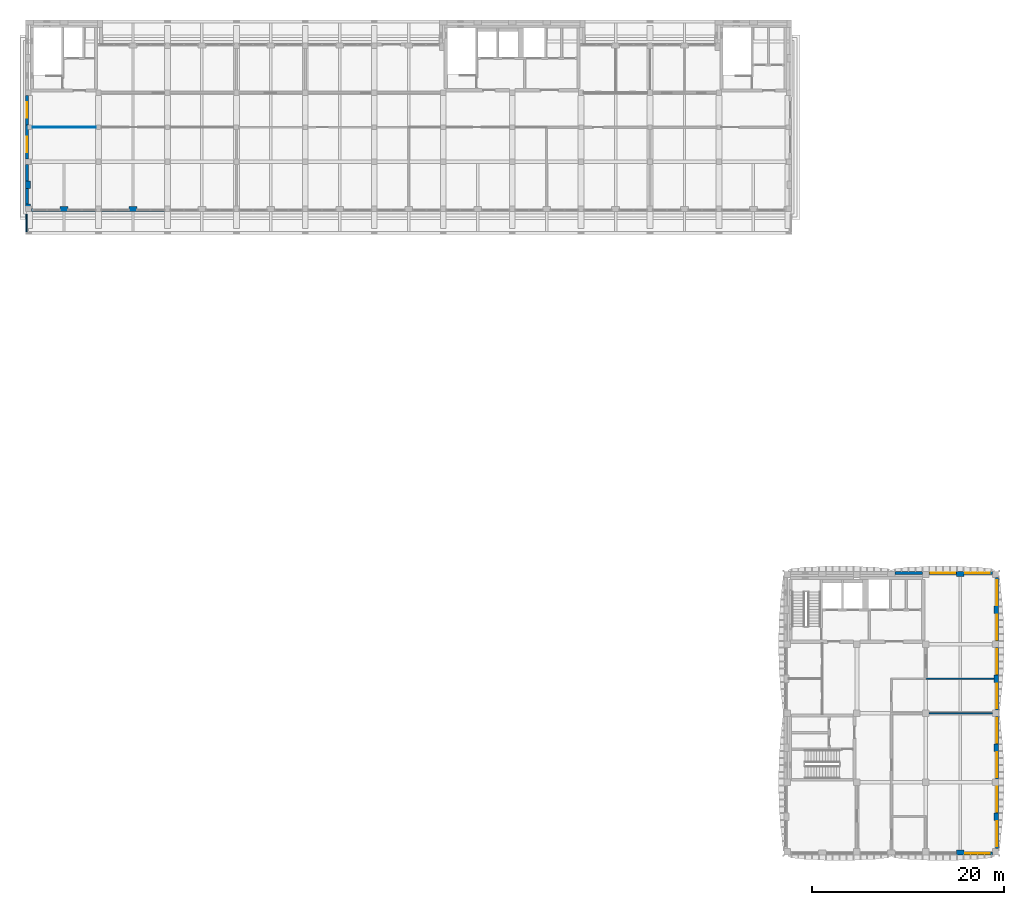
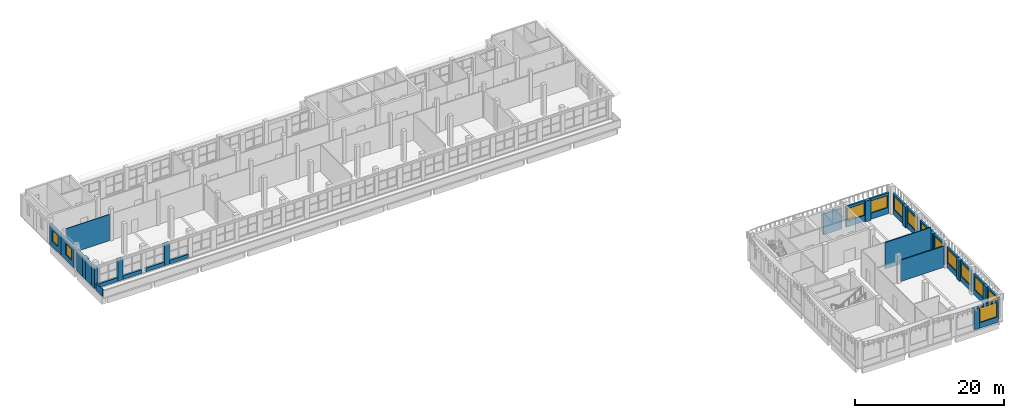
# One storey, part 16 of 30: 34 walls, 13 windows, 13 openings.
"""IFC4 building model written with IfcOpenShell, lengths in metres."""

from ifc_helpers import new_model, si_unit, direction, frame, frame_2d, origin, place, context, subcontext, project, spatial, rectangle, extrude, material, layer, layer_set, type_object, element, fill, save


model = new_model("IFC4")

# Units and contexts
model_context = context("Model", 3, precision=1e-05, world=origin(), true_north=direction((0.0, 1.0)))
body_context = subcontext(model_context, "Body", "Model", "MODEL_VIEW")
ifc_project = project(units=[si_unit("LENGTHUNIT", "METRE"), si_unit("AREAUNIT", "SQUARE_METRE"), si_unit("VOLUMEUNIT", "CUBIC_METRE"), si_unit("PLANEANGLEUNIT", "RADIAN"), si_unit("MASSUNIT", "GRAM", prefix="KILO")], contexts=[model_context])

# Site, building, storey
site_placement = place(None, origin())
site = spatial("IfcSite", under=ifc_project, at=site_placement, CompositionType="ELEMENT")
building_placement = place(site_placement, origin())
building = spatial("IfcBuilding", under=site, at=building_placement, Name="Ussher Court Research Institute", CompositionType="ELEMENT")
storey_placement = place(building_placement, frame((0.0, 0.0, 27.89990234375)))
storey = spatial("IfcBuildingStorey", under=building, at=storey_placement, Name="L06", CompositionType="ELEMENT", Elevation=27.89990234375)

# Wall, opening, window
ifc_material_1 = material(Name="Blockwork with cream render", Category="masonry")
ifc_layer_1 = layer(ifc_material_1, 0.300048828125)
ifc_layer_set_1 = layer_set([ifc_layer_1], Name="Blockwork with cream render")
wall_type_1 = type_object("IfcWallType", Name="External wall 300 cream render", PredefinedType="SOLIDWALL", material=ifc_layer_set_1)
wall_1_placement = place(storey_placement, frame((96.925048828125, 33.050048828125, 0.0), z_axis=(0.0, 0.0, 1.0), x_axis=(1.0, 0.0, 0.0)))
wall_1 = element("IfcWall", 1, at=wall_1_placement, inside=storey, type_object=wall_type_1, Name="External wall EW1 L06", PredefinedType="SOLIDWALL", context=body_context, shape_type="SweptSolid", body=[
    extrude(rectangle(XDim=2.875, YDim=0.300048828125, at=frame_2d((1.4375, 0.0))), origin(), (0.0, 0.0, 1.0), 3.400146484375),
])
opening_1_placement = place(wall_1_placement, frame((0.175048828125, 0.0, 1.0)))
opening_1 = element("IfcOpeningElement", 2, at=opening_1_placement, cuts=wall_1, Name="Opening W15", PredefinedType="OPENING", context=body_context, shape_type="SweptSolid", body=[
    extrude(rectangle(XDim=2.60009765625, YDim=2.0, at=frame_2d((1.300048828125, 1.0))), frame((0.0, 0.16015625, 0.0), z_axis=(0.0, -1.0, 0.0), x_axis=(1.0, 0.0, 0.0)), (0.0, 0.0, 1.0), 0.320068359375),
])
ifc_material_2 = material(Name="Bronze anodised aluminium with double glazing", Category="aluminium")
window_type_1 = type_object("IfcWindowType", Name="Service side laboratory window 2600x2000", PartitioningType="DOUBLE_PANEL_VERTICAL", PredefinedType="WINDOW", material=ifc_material_2)
window_1_placement = place(opening_1_placement, origin())
window_1 = element("IfcWindow", 3, at=window_1_placement, inside=storey, type_object=window_type_1, Name="Window W15 L06", OverallHeight=2.0, OverallWidth=2.60009765625, PartitioningType="SINGLE_PANEL", PredefinedType="WINDOW", context=body_context, shape_type="SweptSolid", body=[
    extrude(rectangle(XDim=2.60009765625, YDim=2.0, at=frame_2d((1.300048828125, 1.0))), frame((0.0, 0.030029296875, 0.0), z_axis=(0.0, -1.0, 0.0), x_axis=(1.0, 0.0, 0.0)), (0.0, 0.0, 1.0), 0.06005859375),
])
fill(opening_1, window_1)

wall_2_placement = place(storey_placement, frame((100.60009765625, 33.050048828125, 0.0), z_axis=(0.0, 0.0, 1.0), x_axis=(1.0, 0.0, 0.0)))
wall_2 = element("IfcWall", 4, at=wall_2_placement, inside=storey, type_object=wall_type_1, Name="External wall EW1 L06", PredefinedType="SOLIDWALL", context=body_context, shape_type="SweptSolid", body=[
    extrude(rectangle(XDim=2.949951171875, YDim=0.300048828125, at=frame_2d((1.47509765625, 0.0))), origin(), (0.0, 0.0, 1.0), 3.400146484375),
])
opening_2_placement = place(wall_2_placement, frame((0.10009765625, 0.0, 1.0)))
opening_2 = element("IfcOpeningElement", 5, at=opening_2_placement, cuts=wall_2, Name="Opening W15", PredefinedType="OPENING", context=body_context, shape_type="SweptSolid", body=[
    extrude(rectangle(XDim=2.60009765625, YDim=2.0, at=frame_2d((1.300048828125, 1.0))), frame((0.0, 0.16015625, 0.0), z_axis=(0.0, -1.0, 0.0), x_axis=(1.0, 0.0, 0.0)), (0.0, 0.0, 1.0), 0.320068359375),
])
window_2_placement = place(opening_2_placement, origin())
window_2 = element("IfcWindow", 6, at=window_2_placement, inside=storey, type_object=window_type_1, Name="Window W15 L06", OverallHeight=2.0, OverallWidth=2.60009765625, PartitioningType="SINGLE_PANEL", PredefinedType="WINDOW", context=body_context, shape_type="SweptSolid", body=[
    extrude(rectangle(XDim=2.60009765625, YDim=2.0, at=frame_2d((1.300048828125, 1.0))), frame((0.0, 0.030029296875, 0.0), z_axis=(0.0, -1.0, 0.0), x_axis=(1.0, 0.0, 0.0)), (0.0, 0.0, 1.0), 0.06005859375),
])
fill(opening_2, window_2)

wall_3_placement = place(storey_placement, frame((104.050048828125, 32.550048828125, 0.0), z_axis=(0.0, 0.0, 1.0), x_axis=(0.0, -1.0, 0.0)))
wall_3 = element("IfcWall", 7, at=wall_3_placement, inside=storey, type_object=wall_type_1, Name="External wall EW1 L06", PredefinedType="SOLIDWALL", context=body_context, shape_type="SweptSolid", body=[
    extrude(rectangle(XDim=2.949951171875, YDim=0.300048828125, at=frame_2d((1.47509765625, 0.0))), origin(), (0.0, 0.0, 1.0), 3.400146484375),
])
opening_3_placement = place(wall_3_placement, frame((0.25, 0.0, 0.89990234375)))
opening_3 = element("IfcOpeningElement", 8, at=opening_3_placement, cuts=wall_3, Name="Opening W13", PredefinedType="OPENING", context=body_context, shape_type="SweptSolid", body=[
    extrude(rectangle(XDim=2.60009765625, YDim=2.199951171875, at=frame_2d((1.300048828125, 1.10009765625))), frame((0.0, 0.16015625, 0.0), z_axis=(0.0, -1.0, 0.0), x_axis=(1.0, 0.0, 0.0)), (0.0, 0.0, 1.0), 0.320068359375),
])
ifc_material_3 = material(Name="Bronze anodised aluminium with double glazing", Category="aluminium")
window_type_2 = type_object("IfcWindowType", Name="East laboratory window 2600x2200", PartitioningType="DOUBLE_PANEL_VERTICAL", PredefinedType="WINDOW", material=ifc_material_3)
window_3_placement = place(opening_3_placement, origin())
window_3 = element("IfcWindow", 9, at=window_3_placement, inside=storey, type_object=window_type_2, Name="Window W13 L06", OverallHeight=2.199951171875, OverallWidth=2.60009765625, PartitioningType="SINGLE_PANEL", PredefinedType="WINDOW", context=body_context, shape_type="SweptSolid", body=[
    extrude(rectangle(XDim=2.60009765625, YDim=2.199951171875, at=frame_2d((1.300048828125, 1.10009765625))), frame((0.0, 0.030029296875, 0.0), z_axis=(0.0, -1.0, 0.0), x_axis=(1.0, 0.0, 0.0)), (0.0, 0.0, 1.0), 0.06005859375),
])
fill(opening_3, window_3)

wall_4_placement = place(storey_placement, frame((104.050048828125, 28.800048828125, 0.0), z_axis=(0.0, 0.0, 1.0), x_axis=(0.0, -1.0, 0.0)))
wall_4 = element("IfcWall", 10, at=wall_4_placement, inside=storey, type_object=wall_type_1, Name="External wall EW1 L06", PredefinedType="SOLIDWALL", context=body_context, shape_type="SweptSolid", body=[
    extrude(rectangle(XDim=2.875, YDim=0.300048828125, at=frame_2d((1.4375, 0.0))), origin(), (0.0, 0.0, 1.0), 3.400146484375),
])
opening_4_placement = place(wall_4_placement, frame((0.10009765625, 0.0, 0.89990234375)))
opening_4 = element("IfcOpeningElement", 11, at=opening_4_placement, cuts=wall_4, Name="Opening W13", PredefinedType="OPENING", context=body_context, shape_type="SweptSolid", body=[
    extrude(rectangle(XDim=2.60009765625, YDim=2.199951171875, at=frame_2d((1.300048828125, 1.10009765625))), frame((0.0, 0.16015625, 0.0), z_axis=(0.0, -1.0, 0.0), x_axis=(1.0, 0.0, 0.0)), (0.0, 0.0, 1.0), 0.320068359375),
])
window_4_placement = place(opening_4_placement, origin())
window_4 = element("IfcWindow", 12, at=window_4_placement, inside=storey, type_object=window_type_2, Name="Window W13 L06", OverallHeight=2.199951171875, OverallWidth=2.60009765625, PartitioningType="SINGLE_PANEL", PredefinedType="WINDOW", context=body_context, shape_type="SweptSolid", body=[
    extrude(rectangle(XDim=2.60009765625, YDim=2.199951171875, at=frame_2d((1.300048828125, 1.10009765625))), frame((0.0, 0.030029296875, 0.0), z_axis=(0.0, -1.0, 0.0), x_axis=(1.0, 0.0, 0.0)), (0.0, 0.0, 1.0), 0.06005859375),
])
fill(opening_4, window_4)

wall_5_placement = place(storey_placement, frame((104.050048828125, 25.27490234375, 0.0), z_axis=(0.0, 0.0, 1.0), x_axis=(0.0, -1.0, 0.0)))
wall_5 = element("IfcWall", 13, at=wall_5_placement, inside=storey, type_object=wall_type_1, Name="External wall EW1 L06", PredefinedType="SOLIDWALL", context=body_context, shape_type="SweptSolid", body=[
    extrude(rectangle(XDim=2.875, YDim=0.300048828125, at=frame_2d((1.4375, 0.0))), origin(), (0.0, 0.0, 1.0), 3.400146484375),
])
opening_5_placement = place(wall_5_placement, frame((0.175048828125, 0.0, 0.89990234375)))
opening_5 = element("IfcOpeningElement", 14, at=opening_5_placement, cuts=wall_5, Name="Opening W13", PredefinedType="OPENING", context=body_context, shape_type="SweptSolid", body=[
    extrude(rectangle(XDim=2.60009765625, YDim=2.199951171875, at=frame_2d((1.300048828125, 1.10009765625))), frame((0.0, 0.16015625, 0.0), z_axis=(0.0, -1.0, 0.0), x_axis=(1.0, 0.0, 0.0)), (0.0, 0.0, 1.0), 0.320068359375),
])
window_5_placement = place(opening_5_placement, origin())
window_5 = element("IfcWindow", 15, at=window_5_placement, inside=storey, type_object=window_type_2, Name="Window W13 L06", OverallHeight=2.199951171875, OverallWidth=2.60009765625, PartitioningType="SINGLE_PANEL", PredefinedType="WINDOW", context=body_context, shape_type="SweptSolid", body=[
    extrude(rectangle(XDim=2.60009765625, YDim=2.199951171875, at=frame_2d((1.300048828125, 1.10009765625))), frame((0.0, 0.030029296875, 0.0), z_axis=(0.0, -1.0, 0.0), x_axis=(1.0, 0.0, 0.0)), (0.0, 0.0, 1.0), 0.06005859375),
])
fill(opening_5, window_5)

wall_6_placement = place(storey_placement, frame((104.050048828125, 21.60009765625, 0.0), z_axis=(0.0, 0.0, 1.0), x_axis=(0.0, -1.0, 0.0)))
wall_6 = element("IfcWall", 16, at=wall_6_placement, inside=storey, type_object=wall_type_1, Name="External wall EW1 L06", PredefinedType="SOLIDWALL", context=body_context, shape_type="SweptSolid", body=[
    extrude(rectangle(XDim=2.875, YDim=0.300048828125, at=frame_2d((1.4375, 0.0))), origin(), (0.0, 0.0, 1.0), 3.400146484375),
])
opening_6_placement = place(wall_6_placement, frame((0.10009765625, 0.0, 0.89990234375)))
opening_6 = element("IfcOpeningElement", 17, at=opening_6_placement, cuts=wall_6, Name="Opening W13", PredefinedType="OPENING", context=body_context, shape_type="SweptSolid", body=[
    extrude(rectangle(XDim=2.60009765625, YDim=2.199951171875, at=frame_2d((1.300048828125, 1.10009765625))), frame((0.0, 0.16015625, 0.0), z_axis=(0.0, -1.0, 0.0), x_axis=(1.0, 0.0, 0.0)), (0.0, 0.0, 1.0), 0.320068359375),
])
window_6_placement = place(opening_6_placement, origin())
window_6 = element("IfcWindow", 18, at=window_6_placement, inside=storey, type_object=window_type_2, Name="Window W13 L06", OverallHeight=2.199951171875, OverallWidth=2.60009765625, PartitioningType="SINGLE_PANEL", PredefinedType="WINDOW", context=body_context, shape_type="SweptSolid", body=[
    extrude(rectangle(XDim=2.60009765625, YDim=2.199951171875, at=frame_2d((1.300048828125, 1.10009765625))), frame((0.0, 0.030029296875, 0.0), z_axis=(0.0, -1.0, 0.0), x_axis=(1.0, 0.0, 0.0)), (0.0, 0.0, 1.0), 0.06005859375),
])
fill(opening_6, window_6)

wall_7_placement = place(storey_placement, frame((104.050048828125, 18.074951171875, 0.0), z_axis=(0.0, 0.0, 1.0), x_axis=(0.0, -1.0, 0.0)))
wall_7 = element("IfcWall", 19, at=wall_7_placement, inside=storey, type_object=wall_type_1, Name="External wall EW1 L06", PredefinedType="SOLIDWALL", context=body_context, shape_type="SweptSolid", body=[
    extrude(rectangle(XDim=2.875, YDim=0.300048828125, at=frame_2d((1.4375, 0.0))), origin(), (0.0, 0.0, 1.0), 3.400146484375),
])
opening_7_placement = place(wall_7_placement, frame((0.175048828125, 0.0, 0.89990234375)))
opening_7 = element("IfcOpeningElement", 20, at=opening_7_placement, cuts=wall_7, Name="Opening W13", PredefinedType="OPENING", context=body_context, shape_type="SweptSolid", body=[
    extrude(rectangle(XDim=2.60009765625, YDim=2.199951171875, at=frame_2d((1.300048828125, 1.10009765625))), frame((0.0, 0.16015625, 0.0), z_axis=(0.0, -1.0, 0.0), x_axis=(1.0, 0.0, 0.0)), (0.0, 0.0, 1.0), 0.320068359375),
])
window_7_placement = place(opening_7_placement, origin())
window_7 = element("IfcWindow", 21, at=window_7_placement, inside=storey, type_object=window_type_2, Name="Window W13 L06", OverallHeight=2.199951171875, OverallWidth=2.60009765625, PartitioningType="SINGLE_PANEL", PredefinedType="WINDOW", context=body_context, shape_type="SweptSolid", body=[
    extrude(rectangle(XDim=2.60009765625, YDim=2.199951171875, at=frame_2d((1.300048828125, 1.10009765625))), frame((0.0, 0.030029296875, 0.0), z_axis=(0.0, -1.0, 0.0), x_axis=(1.0, 0.0, 0.0)), (0.0, 0.0, 1.0), 0.06005859375),
])
fill(opening_7, window_7)

wall_8_placement = place(storey_placement, frame((104.050048828125, 14.39990234375, 0.0), z_axis=(0.0, 0.0, 1.0), x_axis=(0.0, -1.0, 0.0)))
wall_8 = element("IfcWall", 22, at=wall_8_placement, inside=storey, type_object=wall_type_1, Name="External wall EW1 L06", PredefinedType="SOLIDWALL", context=body_context, shape_type="SweptSolid", body=[
    extrude(rectangle(XDim=2.875, YDim=0.300048828125, at=frame_2d((1.4375, 0.0))), origin(), (0.0, 0.0, 1.0), 3.400146484375),
])
opening_8_placement = place(wall_8_placement, frame((0.10009765625, 0.0, 0.89990234375)))
opening_8 = element("IfcOpeningElement", 23, at=opening_8_placement, cuts=wall_8, Name="Opening W13", PredefinedType="OPENING", context=body_context, shape_type="SweptSolid", body=[
    extrude(rectangle(XDim=2.60009765625, YDim=2.199951171875, at=frame_2d((1.300048828125, 1.10009765625))), frame((0.0, 0.16015625, 0.0), z_axis=(0.0, -1.0, 0.0), x_axis=(1.0, 0.0, 0.0)), (0.0, 0.0, 1.0), 0.320068359375),
])
window_8_placement = place(opening_8_placement, origin())
window_8 = element("IfcWindow", 24, at=window_8_placement, inside=storey, type_object=window_type_2, Name="Window W13 L06", OverallHeight=2.199951171875, OverallWidth=2.60009765625, PartitioningType="SINGLE_PANEL", PredefinedType="WINDOW", context=body_context, shape_type="SweptSolid", body=[
    extrude(rectangle(XDim=2.60009765625, YDim=2.199951171875, at=frame_2d((1.300048828125, 1.10009765625))), frame((0.0, 0.030029296875, 0.0), z_axis=(0.0, -1.0, 0.0), x_axis=(1.0, 0.0, 0.0)), (0.0, 0.0, 1.0), 0.06005859375),
])
fill(opening_8, window_8)

wall_9_placement = place(storey_placement, frame((104.050048828125, 10.875, 0.0), z_axis=(0.0, 0.0, 1.0), x_axis=(0.0, -1.0, 0.0)))
wall_9 = element("IfcWall", 25, at=wall_9_placement, inside=storey, type_object=wall_type_1, Name="External wall EW1 L06", PredefinedType="SOLIDWALL", context=body_context, shape_type="SweptSolid", body=[
    extrude(rectangle(XDim=2.875, YDim=0.300048828125, at=frame_2d((1.4375, 0.0))), origin(), (0.0, 0.0, 1.0), 3.400146484375),
])
opening_9_placement = place(wall_9_placement, frame((0.175048828125, 0.0, 0.89990234375)))
opening_9 = element("IfcOpeningElement", 26, at=opening_9_placement, cuts=wall_9, Name="Opening W13", PredefinedType="OPENING", context=body_context, shape_type="SweptSolid", body=[
    extrude(rectangle(XDim=2.60009765625, YDim=2.199951171875, at=frame_2d((1.300048828125, 1.10009765625))), frame((0.0, 0.16015625, 0.0), z_axis=(0.0, -1.0, 0.0), x_axis=(1.0, 0.0, 0.0)), (0.0, 0.0, 1.0), 0.320068359375),
])
window_9_placement = place(opening_9_placement, origin())
window_9 = element("IfcWindow", 27, at=window_9_placement, inside=storey, type_object=window_type_2, Name="Window W13 L06", OverallHeight=2.199951171875, OverallWidth=2.60009765625, PartitioningType="SINGLE_PANEL", PredefinedType="WINDOW", context=body_context, shape_type="SweptSolid", body=[
    extrude(rectangle(XDim=2.60009765625, YDim=2.199951171875, at=frame_2d((1.300048828125, 1.10009765625))), frame((0.0, 0.030029296875, 0.0), z_axis=(0.0, -1.0, 0.0), x_axis=(1.0, 0.0, 0.0)), (0.0, 0.0, 1.0), 0.06005859375),
])
fill(opening_9, window_9)

wall_10_placement = place(storey_placement, frame((104.050048828125, 7.199951171875, 0.0), z_axis=(0.0, 0.0, 1.0), x_axis=(0.0, -1.0, 0.0)))
wall_10 = element("IfcWall", 28, at=wall_10_placement, inside=storey, type_object=wall_type_1, Name="External wall EW1 L06", PredefinedType="SOLIDWALL", context=body_context, shape_type="SweptSolid", body=[
    extrude(rectangle(XDim=2.949951171875, YDim=0.300048828125, at=frame_2d((1.47509765625, 0.0))), origin(), (0.0, 0.0, 1.0), 3.400146484375),
])
opening_10_placement = place(wall_10_placement, frame((0.10009765625, 0.0, 0.89990234375)))
opening_10 = element("IfcOpeningElement", 29, at=opening_10_placement, cuts=wall_10, Name="Opening W13", PredefinedType="OPENING", context=body_context, shape_type="SweptSolid", body=[
    extrude(rectangle(XDim=2.60009765625, YDim=2.199951171875, at=frame_2d((1.300048828125, 1.10009765625))), frame((0.0, 0.16015625, 0.0), z_axis=(0.0, -1.0, 0.0), x_axis=(1.0, 0.0, 0.0)), (0.0, 0.0, 1.0), 0.320068359375),
])
window_10_placement = place(opening_10_placement, origin())
window_10 = element("IfcWindow", 30, at=window_10_placement, inside=storey, type_object=window_type_2, Name="Window W13 L06", OverallHeight=2.199951171875, OverallWidth=2.60009765625, PartitioningType="SINGLE_PANEL", PredefinedType="WINDOW", context=body_context, shape_type="SweptSolid", body=[
    extrude(rectangle(XDim=2.60009765625, YDim=2.199951171875, at=frame_2d((1.300048828125, 1.10009765625))), frame((0.0, 0.030029296875, 0.0), z_axis=(0.0, -1.0, 0.0), x_axis=(1.0, 0.0, 0.0)), (0.0, 0.0, 1.0), 0.06005859375),
])
fill(opening_10, window_10)

wall_11_placement = place(storey_placement, frame((103.550048828125, 3.75, 0.0), z_axis=(0.0, 0.0, 1.0), x_axis=(-1.0, 0.0, 0.0)))
wall_11 = element("IfcWall", 31, at=wall_11_placement, inside=storey, type_object=wall_type_1, Name="External wall EW1 L06", PredefinedType="SOLIDWALL", context=body_context, shape_type="SweptSolid", body=[
    extrude(rectangle(XDim=2.949951171875, YDim=0.300048828125, at=frame_2d((1.47509765625, 0.0))), origin(), (0.0, 0.0, 1.0), 3.400146484375),
])
opening_11_placement = place(wall_11_placement, frame((0.25, 0.0, 0.89990234375)))
opening_11 = element("IfcOpeningElement", 32, at=opening_11_placement, cuts=wall_11, Name="Opening W01", PredefinedType="OPENING", context=body_context, shape_type="SweptSolid", body=[
    extrude(rectangle(XDim=2.60009765625, YDim=2.39990234375, at=frame_2d((1.300048828125, 1.199951171875))), frame((0.0, 0.16015625, 0.0), z_axis=(0.0, -1.0, 0.0), x_axis=(1.0, 0.0, 0.0)), (0.0, 0.0, 1.0), 0.320068359375),
])
ifc_material_4 = material(Name="Bronze anodised aluminium with double glazing", Category="aluminium")
window_type_3 = type_object("IfcWindowType", Name="Laboratory bay window 2600x2400", PartitioningType="DOUBLE_PANEL_VERTICAL", PredefinedType="WINDOW", material=ifc_material_4)
window_11_placement = place(opening_11_placement, origin())
window_11 = element("IfcWindow", 33, at=window_11_placement, inside=storey, type_object=window_type_3, Name="Window W01 L06", OverallHeight=2.39990234375, OverallWidth=2.60009765625, PartitioningType="SINGLE_PANEL", PredefinedType="WINDOW", context=body_context, shape_type="SweptSolid", body=[
    extrude(rectangle(XDim=2.60009765625, YDim=2.39990234375, at=frame_2d((1.300048828125, 1.199951171875))), frame((0.0, 0.030029296875, 0.0), z_axis=(0.0, -1.0, 0.0), x_axis=(1.0, 0.0, 0.0)), (0.0, 0.0, 1.0), 0.06005859375),
])
fill(opening_11, window_11)

# Walls
wall_12_placement = place(storey_placement, frame((17.10009765625, 70.949951171875, 0.0), z_axis=(0.0, 0.0, 1.0), x_axis=(-1.0, 0.0, 0.0)))
element("IfcWall", 34, at=wall_12_placement, inside=storey, type_object=wall_type_1, Name="Plinth wall EW1 L06", PredefinedType="SOLIDWALL", context=body_context, shape_type="SweptSolid", body=[
    extrude(rectangle(XDim=2.900146484375, YDim=0.300048828125, at=frame_2d((1.4501953125, 0.0))), origin(), (0.0, 0.0, 1.0), 0.60009765625),
])
for number, where, z_axis, x_axis, name in (
    (35, (13.39990234375, 70.949951171875, 0.0), (0.0, 0.0, 1.0), (-1.0, 0.0, 0.0), "Plinth wall EW1 L06"),
    (36, (9.89990234375, 70.949951171875, 0.0), (0.0, 0.0, 1.0), (-1.0, 0.0, 0.0), "Plinth wall EW1 L06"),
):
    element("IfcWall", number, at=place(storey_placement, frame(where, z_axis=z_axis, x_axis=x_axis)), inside=storey, type_object=wall_type_1, Name=name, PredefinedType="SOLIDWALL", context=body_context, shape_type="SweptSolid", body=[
        extrude(rectangle(XDim=2.89990234375, YDim=0.300048828125, at=frame_2d((1.449951171875, 0.0))), origin(), (0.0, 0.0, 1.0), 0.60009765625),
    ])
wall_13_placement = place(storey_placement, frame((6.199951171875, 70.949951171875, 0.0), z_axis=(0.0, 0.0, 1.0), x_axis=(-1.0, 0.0, 0.0)))
element("IfcWall", 37, at=wall_13_placement, inside=storey, type_object=wall_type_1, Name="Plinth wall EW1 L06", PredefinedType="SOLIDWALL", context=body_context, shape_type="SweptSolid", body=[
    extrude(rectangle(XDim=3.0, YDim=0.300048828125, at=frame_2d((1.5, 0.0))), origin(), (0.0, 0.0, 1.0), 0.60009765625),
])
wall_14_placement = place(storey_placement, frame((2.75, 71.60009765625, 0.0), z_axis=(0.0, 0.0, 1.0), x_axis=(0.0, 1.0, 0.0)))
element("IfcWall", 38, at=wall_14_placement, inside=storey, type_object=wall_type_1, Name="External wall EW1 L06", PredefinedType="SOLIDWALL", context=body_context, shape_type="SweptSolid", body=[
    extrude(rectangle(XDim=1.599853515625, YDim=0.300048828125, at=frame_2d((0.7998046875, 0.0))), origin(), (0.0, 0.0, 1.0), 3.400146484375),
])
wall_15_placement = place(storey_placement, frame((2.75, 74.0, 0.0), z_axis=(0.0, 0.0, 1.0), x_axis=(0.0, 1.0, 0.0)))
element("IfcWall", 39, at=wall_15_placement, inside=storey, type_object=wall_type_1, Name="External wall EW1 L06", PredefinedType="SOLIDWALL", context=body_context, shape_type="SweptSolid", body=[
    extrude(rectangle(XDim=1.72509765625, YDim=0.300048828125, at=frame_2d((0.862548828125, 0.0))), origin(), (0.0, 0.0, 1.0), 3.400146484375),
])

# Wall, opening, window
wall_16_placement = place(storey_placement, frame((2.75, 76.27490234375, 0.0), z_axis=(0.0, 0.0, 1.0), x_axis=(0.0, 1.0, 0.0)))
wall_16 = element("IfcWall", 40, at=wall_16_placement, inside=storey, type_object=wall_type_1, Name="External wall EW1 L06", PredefinedType="SOLIDWALL", context=body_context, shape_type="SweptSolid", body=[
    extrude(rectangle(XDim=3.550048828125, YDim=0.300048828125, at=frame_2d((1.77490234375, 0.0))), origin(), (0.0, 0.0, 1.0), 3.400146484375),
])
opening_12_placement = place(wall_16_placement, frame((0.72509765625, 0.0, 0.89990234375)))
opening_12 = element("IfcOpeningElement", 41, at=opening_12_placement, cuts=wall_16, Name="Opening W02", PredefinedType="OPENING", context=body_context, shape_type="SweptSolid", body=[
    extrude(rectangle(XDim=1.60009765625, YDim=1.800048828125, at=frame_2d((0.800048828125, 0.89990234375))), frame((0.0, 0.16015625, 0.0), z_axis=(0.0, -1.0, 0.0), x_axis=(1.0, 0.0, 0.0)), (0.0, 0.0, 1.0), 0.320068359375),
])
ifc_material_5 = material(Name="Bronze anodised aluminium with double glazing", Category="aluminium")
window_type_4 = type_object("IfcWindowType", Name="Attic window 1600x1800", PartitioningType="DOUBLE_PANEL_VERTICAL", PredefinedType="WINDOW", material=ifc_material_5)
window_12_placement = place(opening_12_placement, origin())
window_12 = element("IfcWindow", 42, at=window_12_placement, inside=storey, type_object=window_type_4, Name="Window W02 L06", OverallHeight=1.800048828125, OverallWidth=1.60009765625, PartitioningType="SINGLE_PANEL", PredefinedType="WINDOW", context=body_context, shape_type="SweptSolid", body=[
    extrude(rectangle(XDim=1.60009765625, YDim=1.800048828125, at=frame_2d((0.800048828125, 0.89990234375))), frame((0.0, 0.030029296875, 0.0), z_axis=(0.0, -1.0, 0.0), x_axis=(1.0, 0.0, 0.0)), (0.0, 0.0, 1.0), 0.06005859375),
])
fill(opening_12, window_12)

wall_17_placement = place(storey_placement, frame((2.75, 79.824951171875, 0.0), z_axis=(0.0, 0.0, 1.0), x_axis=(0.0, 1.0, 0.0)))
wall_17 = element("IfcWall", 43, at=wall_17_placement, inside=storey, type_object=wall_type_1, Name="External wall EW1 L06", PredefinedType="SOLIDWALL", context=body_context, shape_type="SweptSolid", body=[
    extrude(rectangle(XDim=3.10009765625, YDim=0.300048828125, at=frame_2d((1.550048828125, 0.0))), origin(), (0.0, 0.0, 1.0), 3.400146484375),
])
opening_13_placement = place(wall_17_placement, frame((0.77490234375, 0.0, 0.89990234375)))
opening_13 = element("IfcOpeningElement", 44, at=opening_13_placement, cuts=wall_17, Name="Opening W02", PredefinedType="OPENING", context=body_context, shape_type="SweptSolid", body=[
    extrude(rectangle(XDim=1.60009765625, YDim=1.800048828125, at=frame_2d((0.800048828125, 0.89990234375))), frame((0.0, 0.16015625, 0.0), z_axis=(0.0, -1.0, 0.0), x_axis=(1.0, 0.0, 0.0)), (0.0, 0.0, 1.0), 0.320068359375),
])
window_13_placement = place(opening_13_placement, origin())
window_13 = element("IfcWindow", 45, at=window_13_placement, inside=storey, type_object=window_type_4, Name="Window W02 L06", OverallHeight=1.800048828125, OverallWidth=1.60009765625, PartitioningType="SINGLE_PANEL", PredefinedType="WINDOW", context=body_context, shape_type="SweptSolid", body=[
    extrude(rectangle(XDim=1.60009765625, YDim=1.800048828125, at=frame_2d((0.800048828125, 0.89990234375))), frame((0.0, 0.030029296875, 0.0), z_axis=(0.0, -1.0, 0.0), x_axis=(1.0, 0.0, 0.0)), (0.0, 0.0, 1.0), 0.06005859375),
])
fill(opening_13, window_13)

# Walls
ifc_material_6 = material(Name="Limestone facing on blockwork", Category="masonry")
ifc_layer_2 = layer(ifc_material_6, 0.300048828125)
ifc_layer_set_2 = layer_set([ifc_layer_2], Name="Limestone facing on blockwork")
wall_type_2 = type_object("IfcWallType", Name="External wall 300 stair enclosure", PredefinedType="SOLIDWALL", material=ifc_layer_set_2)
wall_18_placement = place(storey_placement, frame((93.39990234375, 33.050048828125, 0.0), z_axis=(0.0, 0.0, 1.0), x_axis=(1.0, 0.0, 0.0)))
element("IfcWall", 46, at=wall_18_placement, inside=storey, type_object=wall_type_2, Name="External wall EW5 L06", PredefinedType="SOLIDWALL", context=body_context, shape_type="SweptSolid", body=[
    extrude(rectangle(XDim=2.875, YDim=0.300048828125, at=frame_2d((1.4375, 0.0))), origin(), (0.0, 0.0, 1.0), 3.400146484375),
])
ifc_material_7 = material(Name="Plastered blockwork", Category="masonry")
ifc_layer_3 = layer(ifc_material_7, 0.14990234375)
ifc_layer_set_3 = layer_set([ifc_layer_3], Name="Plastered blockwork")
wall_type_3 = type_object("IfcWallType", Name="Fire partition blockwork 150 EI 60", PredefinedType="PARTITIONING", material=ifc_layer_set_3)
wall_19_placement = place(storey_placement, frame((96.925048828125, 18.39990234375, 0.0), z_axis=(0.0, 0.0, 1.0), x_axis=(1.0, 0.0, 0.0)))
element("IfcWall", 47, at=wall_19_placement, inside=storey, type_object=wall_type_3, Name="Fire partition", PredefinedType="PARTITIONING", context=body_context, shape_type="SweptSolid", body=[
    extrude(rectangle(XDim=6.625, YDim=0.14990234375, at=frame_2d((3.3125, 0.0))), origin(), (0.0, 0.0, 1.0), 3.47021484375),
])
wall_20_placement = place(storey_placement, frame((96.60009765625, 22.0, 0.0), z_axis=(0.0, 0.0, 1.0), x_axis=(1.0, 0.0, 0.0)))
element("IfcWall", 48, at=wall_20_placement, inside=storey, type_object=wall_type_3, Name="Fire partition", PredefinedType="PARTITIONING", context=body_context, shape_type="SweptSolid", body=[
    extrude(rectangle(XDim=7.099853515625, YDim=0.14990234375, at=frame_2d((3.5498046875, 0.0))), origin(), (0.0, 0.0, 1.0), 4.300048828125),
])
ifc_material_8 = material(Name="Blockwork with cream render", Category="masonry")
ifc_layer_4 = layer(ifc_material_8, 0.179931640625)
ifc_layer_set_4 = layer_set([ifc_layer_4], Name="Blockwork with cream render")
wall_type_4 = type_object("IfcWallType", Name="Parapet 180 cream render", PredefinedType="PARAPET", material=ifc_layer_set_4)
wall_21_placement = place(storey_placement, frame((2.68994140625, 70.5, 0.0), z_axis=(0.0, 0.0, 1.0), x_axis=(0.0, -1.0, 0.0)))
element("IfcWall", 49, at=wall_21_placement, inside=storey, type_object=wall_type_4, Name="Parapet PW1", PredefinedType="PARAPET", context=body_context, shape_type="SweptSolid", body=[
    extrude(rectangle(XDim=1.800048828125, YDim=0.179931640625, at=frame_2d((0.89990234375, 0.0))), origin(), (0.0, 0.0, 1.0), 1.10009765625),
])
ifc_material_9 = material(Name="Plastered blockwork", Category="masonry")
ifc_layer_5 = layer(ifc_material_9, 0.10009765625)
ifc_layer_set_5 = layer_set([ifc_layer_5], Name="Plastered blockwork")
wall_type_5 = type_object("IfcWallType", Name="Partition plastered blockwork 100", PredefinedType="PARTITIONING", material=ifc_layer_set_5)
wall_22_placement = place(storey_placement, frame((3.22509765625, 79.60009765625, 0.0), z_axis=(0.0, 0.0, 1.0), x_axis=(1.0, 0.0, 0.0)))
element("IfcWall", 50, at=wall_22_placement, inside=storey, type_object=wall_type_5, Name="Partition", PredefinedType="PARTITIONING", context=body_context, shape_type="SweptSolid", body=[
    extrude(rectangle(XDim=6.75, YDim=0.10009765625, at=frame_2d((3.375, 0.0))), origin(), (0.0, 0.0, 1.0), 4.300048828125),
])
ifc_material_10 = material(Name="Blockwork with cream render", Category="masonry")
ifc_layer_6 = layer(ifc_material_10, 0.5)
ifc_layer_set_6 = layer_set([ifc_layer_6], Name="Blockwork with cream render")
wall_type_6 = type_object("IfcWallType", Name="Pier 800x500 cream render", PredefinedType="SOLIDWALL", material=ifc_layer_set_6)
for number, where, z_axis, x_axis, name in (
    (51, (99.800048828125, 32.949951171875, 0.0), (0.0, 0.0, 1.0), (1.0, 0.0, 0.0), "Pier PR1 L06"),
    (52, (103.949951171875, 29.60009765625, 0.0), (0.0, 0.0, 1.0), (0.0, -1.0, 0.0), "Pier PR1 L06"),
):
    element("IfcWall", number, at=place(storey_placement, frame(where, z_axis=z_axis, x_axis=x_axis)), inside=storey, type_object=wall_type_6, Name=name, PredefinedType="SOLIDWALL", context=body_context, shape_type="SweptSolid", body=[
        extrude(rectangle(XDim=0.800048828125, YDim=0.5, at=frame_2d((0.39990234375, 0.0))), origin(), (0.0, 0.0, 1.0), 3.400146484375),
    ])
wall_23_placement = place(storey_placement, frame((103.949951171875, 22.39990234375, 0.0), z_axis=(0.0, 0.0, 1.0), x_axis=(0.0, -1.0, 0.0)))
element("IfcWall", 53, at=wall_23_placement, inside=storey, type_object=wall_type_6, Name="Pier PR1 L06", PredefinedType="SOLIDWALL", context=body_context, shape_type="SweptSolid", body=[
    extrude(rectangle(XDim=0.7998046875, YDim=0.5, at=frame_2d((0.39990234375, 0.0))), origin(), (0.0, 0.0, 1.0), 3.400146484375),
])
for number, where, z_axis, x_axis, name in (
    (54, (103.949951171875, 15.199951171875, 0.0), (0.0, 0.0, 1.0), (0.0, -1.0, 0.0), "Pier PR1 L06"),
    (55, (103.949951171875, 8.0, 0.0), (0.0, 0.0, 1.0), (0.0, -1.0, 0.0), "Pier PR1 L06"),
    (56, (100.60009765625, 3.85009765625, 0.0), (0.0, 0.0, 1.0), (-1.0, 0.0, 0.0), "Pier PR1 L06"),
    (57, (14.199951171875, 71.050048828125, 0.0), (0.0, 0.0, 1.0), (-1.0, 0.0, 0.0), "Pier PR1 L06"),
    (58, (7.0, 71.050048828125, 0.0), (0.0, 0.0, 1.0), (-1.0, 0.0, 0.0), "Pier PR1 L06"),
    (59, (2.85009765625, 70.800048828125, 0.0), (0.0, 0.0, 1.0), (0.0, 1.0, 0.0), "Pier PR1 L06"),
    (60, (2.85009765625, 73.199951171875, 0.0), (0.0, 0.0, 1.0), (0.0, 1.0, 0.0), "Pier PR1 L06"),
):
    element("IfcWall", number, at=place(storey_placement, frame(where, z_axis=z_axis, x_axis=x_axis)), inside=storey, type_object=wall_type_6, Name=name, PredefinedType="SOLIDWALL", context=body_context, shape_type="SweptSolid", body=[
        extrude(rectangle(XDim=0.800048828125, YDim=0.5, at=frame_2d((0.39990234375, 0.0))), origin(), (0.0, 0.0, 1.0), 3.400146484375),
    ])

save(model, "model.ifc")
